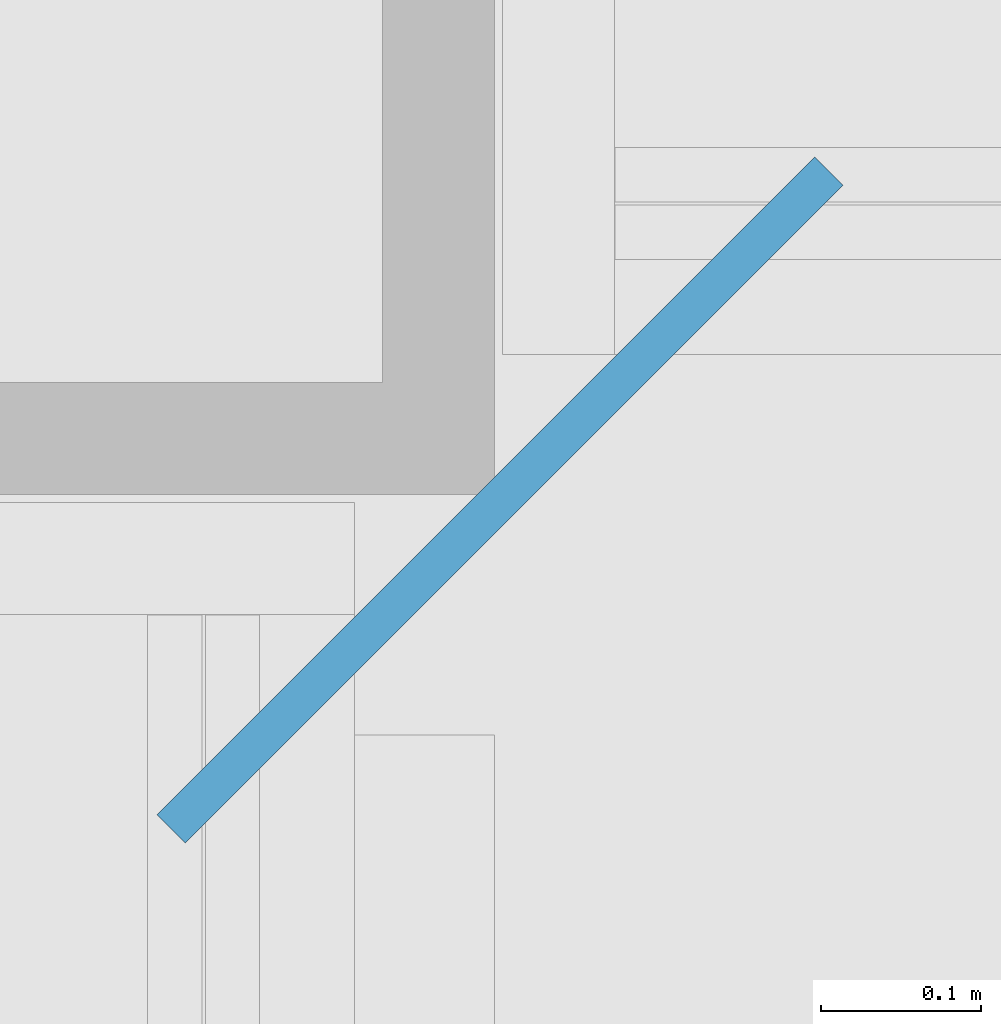
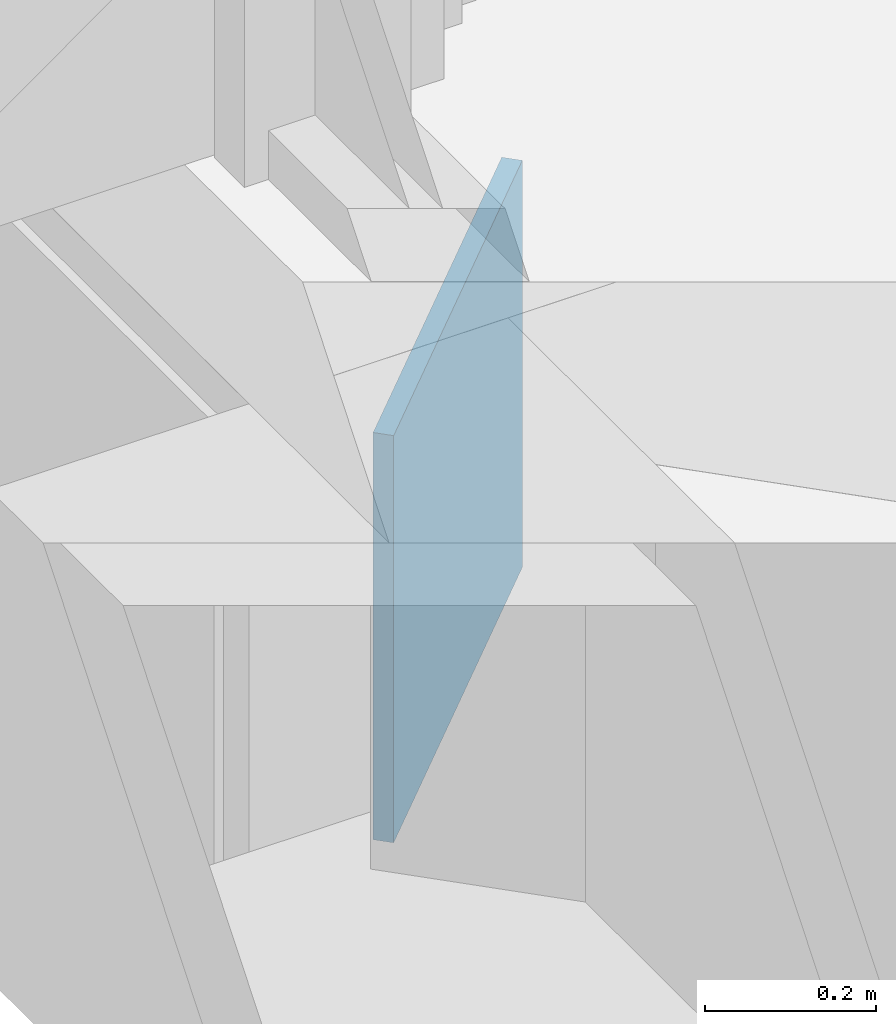
# One storey, part 17 of 26: 1 plate.
"""IFC4 building model written with IfcOpenShell, lengths in metres."""

from ifc_helpers import new_model, si_unit, direction, frame, origin, origin_2d, place, context, subcontext, project, spatial, rectangle, extrude, material, layer, layer_set, type_object, element, save


model = new_model("IFC4")

# Units and contexts
model_context = context("Model", 3, precision=1e-05, world=origin(), true_north=direction((0.0, 1.0)))
body_context = subcontext(model_context, "Body", "Model", "MODEL_VIEW")
ifc_project = project(units=[si_unit("LENGTHUNIT", "METRE"), si_unit("AREAUNIT", "SQUARE_METRE"), si_unit("VOLUMEUNIT", "CUBIC_METRE"), si_unit("PLANEANGLEUNIT", "RADIAN"), si_unit("MASSUNIT", "GRAM", prefix="KILO")], contexts=[model_context])

# Site, building, storey
site_placement = place(None, origin())
site = spatial("IfcSite", under=ifc_project, at=site_placement, CompositionType="ELEMENT")
building_placement = place(site_placement, origin())
building = spatial("IfcBuilding", under=site, at=building_placement, Name="Kopane Lantern Tower", CompositionType="ELEMENT")
storey_placement = place(building_placement, frame((0.0, 0.0, 98.0)))
storey = spatial("IfcBuildingStorey", under=building, at=storey_placement, Name="L24", CompositionType="ELEMENT", Elevation=98.0)

# Plate
ifc_material = material(Name="Steel S355JR", Category="steel")
ifc_layer = layer(ifc_material, 0.02490234375)
ifc_layer_set = layer_set([ifc_layer], Name="STEEL END CAP PLATE PL25")
plate_type = type_object("IfcPlateType", Name="STEEL END CAP PLATE PL25", PredefinedType="USERDEFINED", material=ifc_layer_set)
plate_placement = place(storey_placement, frame((4.4033203125, 49.5966796875, -0.890625), z_axis=(0.0, 0.0, 1.0), x_axis=(-0.707106781187, 0.707106781187, 0.0)))
element("IfcPlate", 1, at=plate_placement, inside=storey, type_object=plate_type, Name="Corner tie beam end cap plate L24", ObjectType="PLATE", PredefinedType="USERDEFINED", context=body_context, shape_type="SweptSolid", body=[
    extrude(rectangle(XDim=0.02490234375, YDim=0.5810546875, at=origin_2d()), origin(), (0.0, 0.0, 1.0), 0.5810546875),
])

save(model, "model.ifc")
